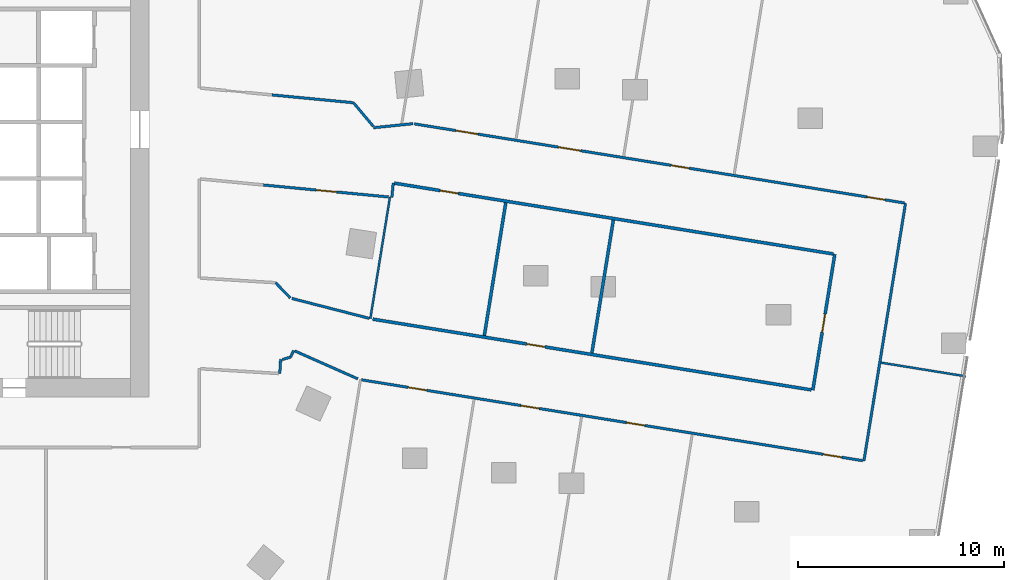
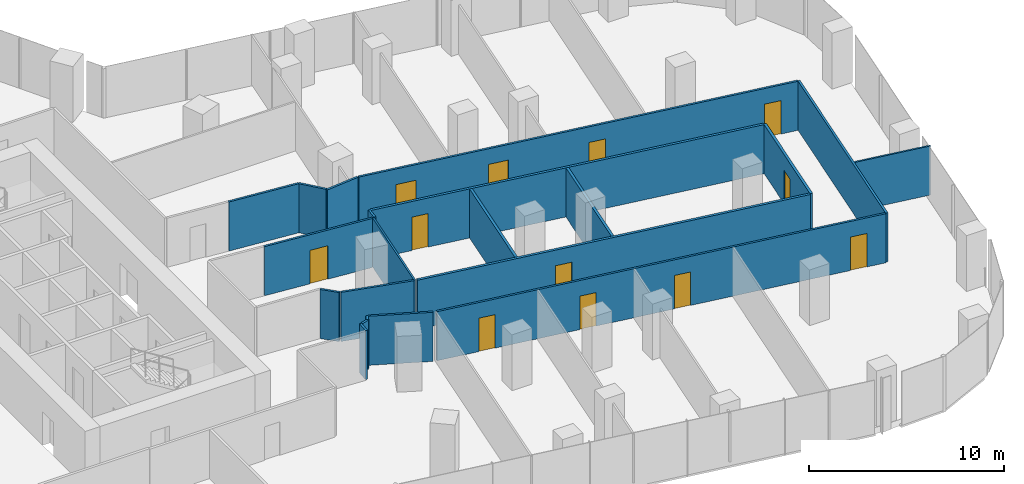
# One storey, part 28 of 34: 21 walls, 12 doors, 12 openings.
"""IFC4 building model written with IfcOpenShell, lengths in metres."""

from ifc_helpers import new_model, si_unit, direction, frame, frame_2d, origin, place, context, subcontext, project, spatial, rectangle, extrude, material, layer, layer_set, type_object, element, fill, save


model = new_model("IFC4")

# Units and contexts
model_context = context("Model", 3, precision=1e-05, world=origin(), true_north=direction((0.0, 1.0)))
body_context = subcontext(model_context, "Body", "Model", "MODEL_VIEW")
ifc_project = project(units=[si_unit("LENGTHUNIT", "METRE"), si_unit("AREAUNIT", "SQUARE_METRE"), si_unit("VOLUMEUNIT", "CUBIC_METRE"), si_unit("PLANEANGLEUNIT", "RADIAN"), si_unit("MASSUNIT", "GRAM", prefix="KILO")], contexts=[model_context])

# Site, building, storey
site_placement = place(None, origin())
site = spatial("IfcSite", under=ifc_project, at=site_placement, CompositionType="ELEMENT")
building_placement = place(site_placement, origin())
building = spatial("IfcBuilding", under=site, at=building_placement, Name="Orlundy Tower", CompositionType="ELEMENT")
storey_placement = place(building_placement, frame((0.0, 0.0, 130.699951171875)))
storey = spatial("IfcBuildingStorey", under=building, at=storey_placement, Name="L33", CompositionType="ELEMENT", Elevation=130.699951171875)

# Walls
ifc_material_1 = material(Name="Gypsum board partition")
ifc_layer_1 = layer(ifc_material_1, 0.10009765625)
ifc_layer_set_1 = layer_set([ifc_layer_1], Name="Floor partition 100")
wall_type_1 = type_object("IfcWallType", Name="Floor partition 100", PredefinedType="PARTITIONING", material=ifc_layer_set_1)
wall_1_placement = place(storey_placement, frame((54.614990234375, -10.33203125, 0.0), z_axis=(0.0, 0.0, 1.0), x_axis=(0.987227218169, -0.15931861067, 0.0)))
element("IfcWall", 1, at=wall_1_placement, inside=storey, type_object=wall_type_1, Name="wall-int-L33-021", PredefinedType="PARTITIONING", context=body_context, shape_type="SweptSolid", body=[
    extrude(rectangle(XDim=4.1865234375, YDim=0.10009765625, at=frame_2d((2.09326171875, 0.0))), origin(), (0.0, 0.0, 1.0), 3.080078125),
])
wall_2_placement = place(storey_placement, frame((29.76904296875, -8.18994140625, 0.0), z_axis=(0.0, 0.0, 1.0), x_axis=(0.15928627412, 0.987232436094, 0.0)))
element("IfcWall", 2, at=wall_2_placement, inside=storey, type_object=wall_type_1, Name="wall-int-L33-067", PredefinedType="PARTITIONING", context=body_context, shape_type="SweptSolid", body=[
    extrude(rectangle(XDim=5.98828125, YDim=0.10009765625, at=frame_2d((2.994140625, 0.0))), origin(), (0.0, 0.0, 1.0), 3.080078125),
])
ifc_material_2 = material(Name="Gypsum board partition, double layer")
ifc_layer_2 = layer(ifc_material_2, 0.125)
ifc_layer_set_2 = layer_set([ifc_layer_2], Name="Floor partition 125")
wall_type_2 = type_object("IfcWallType", Name="Floor partition 125", PredefinedType="PARTITIONING", material=ifc_layer_set_2)
wall_3_placement = place(storey_placement, frame((29.91796875, 1.157958984375, 0.0), z_axis=(0.0, 0.0, 1.0), x_axis=(-0.643093382336, 0.765787765374, 0.0)))
element("IfcWall", 3, at=wall_3_placement, inside=storey, type_object=wall_type_2, Name="wall-int-L33-002", PredefinedType="PARTITIONING", context=body_context, shape_type="SweptSolid", body=[
    extrude(rectangle(XDim=1.50830078125, YDim=0.125, at=frame_2d((0.754150390625, 0.0))), origin(), (0.0, 0.0, 1.0), 3.080078125),
])
wall_4_placement = place(storey_placement, frame((26.093994140625, -9.762939453125, 0.0), z_axis=(0.0, 0.0, 1.0), x_axis=(0.914414080566, -0.404780050475, 0.0)))
element("IfcWall", 4, at=wall_4_placement, inside=storey, type_object=wall_type_2, Name="wall-int-L33-004", PredefinedType="PARTITIONING", context=body_context, shape_type="SweptSolid", body=[
    extrude(rectangle(XDim=3.352783203125, YDim=0.125, at=frame_2d((1.67626953125, 0.0))), origin(), (0.0, 0.0, 1.0), 3.080078125),
])
wall_5_placement = place(storey_placement, frame((25.47900390625, -10.18603515625, 0.0), z_axis=(0.0, 0.0, 1.0), x_axis=(0.955681025049, 0.294404107243, 0.0)))
element("IfcWall", 5, at=wall_5_placement, inside=storey, type_object=wall_type_2, Name="wall-int-L33-017", PredefinedType="PARTITIONING", context=body_context, shape_type="SweptSolid", body=[
    extrude(rectangle(XDim=0.43115234375, YDim=0.125, at=frame_2d((0.215576171875, 0.0))), origin(), (0.0, 0.0, 1.0), 3.080078125),
])
wall_6_placement = place(storey_placement, frame((25.949951171875, -7.2080078125, 0.0), z_axis=(0.0, 0.0, 1.0), x_axis=(0.968475214554, -0.249109933149, 0.0)))
element("IfcWall", 6, at=wall_6_placement, inside=storey, type_object=wall_type_2, Name="wall-int-L33-018", PredefinedType="PARTITIONING", context=body_context, shape_type="SweptSolid", body=[
    extrude(rectangle(XDim=3.893798828125, YDim=0.125, at=frame_2d((1.94677734375, 0.0))), origin(), (0.0, 0.0, 1.0), 3.080078125),
])

# Wall, openings, doors
wall_7_placement = place(storey_placement, frame((53.718994140625, -15.10009765625, 0.0), z_axis=(0.0, 0.0, 1.0), x_axis=(-0.987235605508, 0.159266629328, 0.0)))
wall_7 = element("IfcWall", 7, at=wall_7_placement, inside=storey, type_object=wall_type_2, Name="wall-int-L33-019", PredefinedType="PARTITIONING", context=body_context, shape_type="SweptSolid", body=[
    extrude(rectangle(XDim=24.695068359375, YDim=0.125, at=frame_2d((12.34765625, 0.0))), origin(), (0.0, 0.0, 1.0), 3.080078125),
])
opening_1_placement = place(wall_7_placement, frame((10.73876953125, 0.0, 0.0)))
opening_1 = element("IfcOpeningElement", 8, at=opening_1_placement, cuts=wall_7, Name="Opening 25104", PredefinedType="OPENING", context=body_context, shape_type="SweptSolid", body=[
    extrude(rectangle(XDim=0.89990234375, YDim=2.10009765625, at=frame_2d((0.449951171875, 1.050048828125))), frame((0.0, 0.072509765625, 0.0), z_axis=(0.0, -1.0, 0.0), x_axis=(1.0, 0.0, 0.0)), (0.0, 0.0, 1.0), 0.14501953125),
])
opening_2_placement = place(wall_7_placement, frame((1.037841796875, 0.0, 0.0)))
opening_2 = element("IfcOpeningElement", 9, at=opening_2_placement, cuts=wall_7, Name="Opening 25107", PredefinedType="OPENING", context=body_context, shape_type="SweptSolid", body=[
    extrude(rectangle(XDim=0.89990234375, YDim=2.10009765625, at=frame_2d((0.449951171875, 1.050048828125))), frame((0.0, 0.072509765625, 0.0), z_axis=(0.0, -1.0, 0.0), x_axis=(1.0, 0.0, 0.0)), (0.0, 0.0, 1.0), 0.14501953125),
])
opening_3_placement = place(wall_7_placement, frame((21.488037109375, 0.0, 0.0)))
opening_3 = element("IfcOpeningElement", 10, at=opening_3_placement, cuts=wall_7, Name="Opening 25109", PredefinedType="OPENING", context=body_context, shape_type="SweptSolid", body=[
    extrude(rectangle(XDim=0.89990234375, YDim=2.10009765625, at=frame_2d((0.449951171875, 1.050048828125))), frame((0.0, 0.072509765625, 0.0), z_axis=(0.0, -1.0, 0.0), x_axis=(1.0, 0.0, 0.0)), (0.0, 0.0, 1.0), 0.14501953125),
])
opening_4_placement = place(wall_7_placement, frame((15.9384765625, 0.0, 0.0)))
opening_4 = element("IfcOpeningElement", 11, at=opening_4_placement, cuts=wall_7, Name="Opening 25110", PredefinedType="OPENING", context=body_context, shape_type="SweptSolid", body=[
    extrude(rectangle(XDim=0.89990234375, YDim=2.10009765625, at=frame_2d((0.449951171875, 1.050048828125))), frame((0.0, 0.072509765625, 0.0), z_axis=(0.0, -1.0, 0.0), x_axis=(1.0, 0.0, 0.0)), (0.0, 0.0, 1.0), 0.14501953125),
])
ifc_material_3 = material(Name="Timber door leaf", Category="wood")
door_type_1 = type_object("IfcDoorType", Name="Floor door single 900 FD30S", OperationType="NOTDEFINED", PredefinedType="DOOR", material=ifc_material_3)
door_1_placement = place(opening_1_placement, origin())
door_1 = element("IfcDoor", 12, at=door_1_placement, inside=storey, type_object=door_type_1, Name="Door 25104", OperationType="SINGLE_SWING_LEFT", OverallHeight=2.10009765625, OverallWidth=0.89990234375, PredefinedType="DOOR", context=body_context, shape_type="SweptSolid", body=[
    extrude(rectangle(XDim=0.89990234375, YDim=2.10009765625, at=frame_2d((0.449951171875, 1.050048828125))), frame((0.0, 0.02490234375, 0.0), z_axis=(0.0, -1.0, 0.0), x_axis=(1.0, 0.0, 0.0)), (0.0, 0.0, 1.0), 0.050048828125),
])
fill(opening_1, door_1)
door_2_placement = place(opening_2_placement, origin())
door_2 = element("IfcDoor", 13, at=door_2_placement, inside=storey, type_object=door_type_1, Name="Door 25107", OperationType="SINGLE_SWING_LEFT", OverallHeight=2.10009765625, OverallWidth=0.89990234375, PredefinedType="DOOR", context=body_context, shape_type="SweptSolid", body=[
    extrude(rectangle(XDim=0.89990234375, YDim=2.10009765625, at=frame_2d((0.449951171875, 1.050048828125))), frame((0.0, 0.02490234375, 0.0), z_axis=(0.0, -1.0, 0.0), x_axis=(1.0, 0.0, 0.0)), (0.0, 0.0, 1.0), 0.050048828125),
])
fill(opening_2, door_2)
door_3_placement = place(opening_3_placement, origin())
door_3 = element("IfcDoor", 14, at=door_3_placement, inside=storey, type_object=door_type_1, Name="Door 25109", OperationType="SINGLE_SWING_RIGHT", OverallHeight=2.10009765625, OverallWidth=0.89990234375, PredefinedType="DOOR", context=body_context, shape_type="SweptSolid", body=[
    extrude(rectangle(XDim=0.89990234375, YDim=2.10009765625, at=frame_2d((0.449951171875, 1.050048828125))), frame((0.0, 0.02490234375, 0.0), z_axis=(0.0, -1.0, 0.0), x_axis=(1.0, 0.0, 0.0)), (0.0, 0.0, 1.0), 0.050048828125),
])
fill(opening_3, door_3)
door_4_placement = place(opening_4_placement, origin())
door_4 = element("IfcDoor", 15, at=door_4_placement, inside=storey, type_object=door_type_1, Name="Door 25110", OperationType="SINGLE_SWING_RIGHT", OverallHeight=2.10009765625, OverallWidth=0.89990234375, PredefinedType="DOOR", context=body_context, shape_type="SweptSolid", body=[
    extrude(rectangle(XDim=0.89990234375, YDim=2.10009765625, at=frame_2d((0.449951171875, 1.050048828125))), frame((0.0, 0.02490234375, 0.0), z_axis=(0.0, -1.0, 0.0), x_axis=(1.0, 0.0, 0.0)), (0.0, 0.0, 1.0), 0.050048828125),
])
fill(opening_4, door_4)

wall_8_placement = place(storey_placement, frame((31.908935546875, 1.283935546875, 0.0), z_axis=(0.0, 0.0, 1.0), x_axis=(0.987227629246, -0.159316063386, 0.0)))
wall_8 = element("IfcWall", 16, at=wall_8_placement, inside=storey, type_object=wall_type_2, Name="wall-int-L33-023", PredefinedType="PARTITIONING", context=body_context, shape_type="SweptSolid", body=[
    extrude(rectangle(XDim=24.140380859375, YDim=0.125, at=frame_2d((12.0703125, 0.0))), origin(), (0.0, 0.0, 1.0), 3.080078125),
])
opening_5_placement = place(wall_8_placement, frame((2.03759765625, 0.0, 0.0)))
opening_5 = element("IfcOpeningElement", 17, at=opening_5_placement, cuts=wall_8, Name="Opening 25100", PredefinedType="OPENING", context=body_context, shape_type="SweptSolid", body=[
    extrude(rectangle(XDim=1.10009765625, YDim=2.10009765625, at=frame_2d((0.550048828125, 1.050048828125))), frame((0.0, 0.072509765625, 0.0), z_axis=(0.0, -1.0, 0.0), x_axis=(1.0, 0.0, 0.0)), (0.0, 0.0, 1.0), 0.14501953125),
])
opening_6_placement = place(wall_8_placement, frame((7.103271484375, 0.0, 0.0)))
opening_6 = element("IfcOpeningElement", 18, at=opening_6_placement, cuts=wall_8, Name="Opening 25101", PredefinedType="OPENING", context=body_context, shape_type="SweptSolid", body=[
    extrude(rectangle(XDim=1.10009765625, YDim=2.10009765625, at=frame_2d((0.550048828125, 1.050048828125))), frame((0.0, 0.072509765625, 0.0), z_axis=(0.0, -1.0, 0.0), x_axis=(1.0, 0.0, 0.0)), (0.0, 0.0, 1.0), 0.14501953125),
])
opening_7_placement = place(wall_8_placement, frame((12.65283203125, 0.0, 0.0)))
opening_7 = element("IfcOpeningElement", 19, at=opening_7_placement, cuts=wall_8, Name="Opening 25105", PredefinedType="OPENING", context=body_context, shape_type="SweptSolid", body=[
    extrude(rectangle(XDim=0.89990234375, YDim=2.10009765625, at=frame_2d((0.449951171875, 1.050048828125))), frame((0.0, 0.072509765625, 0.0), z_axis=(0.0, -1.0, 0.0), x_axis=(1.0, 0.0, 0.0)), (0.0, 0.0, 1.0), 0.14501953125),
])
opening_8_placement = place(wall_8_placement, frame((22.302978515625, 0.0, 0.0)))
opening_8 = element("IfcOpeningElement", 20, at=opening_8_placement, cuts=wall_8, Name="Opening 25108", PredefinedType="OPENING", context=body_context, shape_type="SweptSolid", body=[
    extrude(rectangle(XDim=0.89990234375, YDim=2.10009765625, at=frame_2d((0.449951171875, 1.050048828125))), frame((0.0, 0.072509765625, 0.0), z_axis=(0.0, -1.0, 0.0), x_axis=(1.0, 0.0, 0.0)), (0.0, 0.0, 1.0), 0.14501953125),
])
door_5_placement = place(opening_7_placement, origin())
door_5 = element("IfcDoor", 21, at=door_5_placement, inside=storey, type_object=door_type_1, Name="Door 25105", OperationType="SINGLE_SWING_RIGHT", OverallHeight=2.10009765625, OverallWidth=0.89990234375, PredefinedType="DOOR", context=body_context, shape_type="SweptSolid", body=[
    extrude(rectangle(XDim=0.89990234375, YDim=2.10009765625, at=frame_2d((0.449951171875, 1.050048828125))), frame((0.0, 0.02490234375, 0.0), z_axis=(0.0, -1.0, 0.0), x_axis=(1.0, 0.0, 0.0)), (0.0, 0.0, 1.0), 0.050048828125),
])
fill(opening_7, door_5)
door_6_placement = place(opening_8_placement, origin())
door_6 = element("IfcDoor", 22, at=door_6_placement, inside=storey, type_object=door_type_1, Name="Door 25108", OperationType="SINGLE_SWING_RIGHT", OverallHeight=2.10009765625, OverallWidth=0.89990234375, PredefinedType="DOOR", context=body_context, shape_type="SweptSolid", body=[
    extrude(rectangle(XDim=0.89990234375, YDim=2.10009765625, at=frame_2d((0.449951171875, 1.050048828125))), frame((0.0, 0.02490234375, 0.0), z_axis=(0.0, -1.0, 0.0), x_axis=(1.0, 0.0, 0.0)), (0.0, 0.0, 1.0), 0.050048828125),
])
fill(opening_8, door_6)
ifc_material_4 = material(Name="Timber door leaf", Category="wood")
door_type_2 = type_object("IfcDoorType", Name="Floor door xwide 1100 FD30S", OperationType="NOTDEFINED", PredefinedType="DOOR", material=ifc_material_4)
door_7_placement = place(opening_5_placement, origin())
door_7 = element("IfcDoor", 23, at=door_7_placement, inside=storey, type_object=door_type_2, Name="Door 25100", OperationType="SINGLE_SWING_LEFT", OverallHeight=2.10009765625, OverallWidth=1.10009765625, PredefinedType="DOOR", context=body_context, shape_type="SweptSolid", body=[
    extrude(rectangle(XDim=1.10009765625, YDim=2.10009765625, at=frame_2d((0.550048828125, 1.050048828125))), frame((0.0, 0.02490234375, 0.0), z_axis=(0.0, -1.0, 0.0), x_axis=(1.0, 0.0, 0.0)), (0.0, 0.0, 1.0), 0.050048828125),
])
fill(opening_5, door_7)
door_8_placement = place(opening_6_placement, origin())
door_8 = element("IfcDoor", 24, at=door_8_placement, inside=storey, type_object=door_type_2, Name="Door 25101", OperationType="SINGLE_SWING_LEFT", OverallHeight=2.10009765625, OverallWidth=1.10009765625, PredefinedType="DOOR", context=body_context, shape_type="SweptSolid", body=[
    extrude(rectangle(XDim=1.10009765625, YDim=2.10009765625, at=frame_2d((0.550048828125, 1.050048828125))), frame((0.0, 0.02490234375, 0.0), z_axis=(0.0, -1.0, 0.0), x_axis=(1.0, 0.0, 0.0)), (0.0, 0.0, 1.0), 0.050048828125),
])
fill(opening_6, door_8)

# Wall, opening, door
wall_9_placement = place(storey_placement, frame((30.660888671875, -2.27197265625, 0.0), z_axis=(0.0, 0.0, 1.0), x_axis=(-0.99545016826, 0.095283589939, 0.0)))
wall_9 = element("IfcWall", 25, at=wall_9_placement, inside=storey, type_object=wall_type_2, Name="wall-int-L33-024", PredefinedType="PARTITIONING", context=body_context, shape_type="SweptSolid", body=[
    extrude(rectangle(XDim=6.11865234375, YDim=0.125, at=frame_2d((3.059326171875, 0.0))), origin(), (0.0, 0.0, 1.0), 3.080078125),
])
opening_9_placement = place(wall_9_placement, frame((2.53759765625, 0.0, 0.0)))
opening_9 = element("IfcOpeningElement", 26, at=opening_9_placement, cuts=wall_9, Name="Opening 25126", PredefinedType="OPENING", context=body_context, shape_type="SweptSolid", body=[
    extrude(rectangle(XDim=1.0, YDim=2.10009765625, at=frame_2d((0.5, 1.050048828125))), frame((0.0, 0.072509765625, 0.0), z_axis=(0.0, -1.0, 0.0), x_axis=(1.0, 0.0, 0.0)), (0.0, 0.0, 1.0), 0.14501953125),
])
ifc_material_5 = material(Name="Timber door leaf", Category="wood")
door_type_3 = type_object("IfcDoorType", Name="Floor door wide 1000 FD30S", OperationType="NOTDEFINED", PredefinedType="DOOR", material=ifc_material_5)
door_9_placement = place(opening_9_placement, origin())
door_9 = element("IfcDoor", 27, at=door_9_placement, inside=storey, type_object=door_type_3, Name="Door 25126", OperationType="SINGLE_SWING_LEFT", OverallHeight=2.10009765625, OverallWidth=1.0, PredefinedType="DOOR", context=body_context, shape_type="SweptSolid", body=[
    extrude(rectangle(XDim=1.0, YDim=2.10009765625, at=frame_2d((0.5, 1.050048828125))), frame((0.0, 0.02490234375, 0.0), z_axis=(0.0, -1.0, 0.0), x_axis=(1.0, 0.0, 0.0)), (0.0, 0.0, 1.0), 0.050048828125),
])
fill(opening_9, door_9)

# Walls
wall_10_placement = place(storey_placement, frame((24.989013671875, 2.69189453125, 0.0), z_axis=(0.0, 0.0, 1.0), x_axis=(0.995451221245, -0.095272588516, 0.0)))
element("IfcWall", 28, at=wall_10_placement, inside=storey, type_object=wall_type_2, Name="wall-int-L33-026", PredefinedType="PARTITIONING", context=body_context, shape_type="SweptSolid", body=[
    extrude(rectangle(XDim=3.97705078125, YDim=0.125, at=frame_2d((1.988525390625, 0.0))), origin(), (0.0, 0.0, 1.0), 3.080078125),
])
wall_11_placement = place(storey_placement, frame((31.846923828125, 1.2939453125, 0.0), z_axis=(0.0, 0.0, 1.0), x_axis=(-0.9947784907, -0.102057603537, 0.0)))
element("IfcWall", 29, at=wall_11_placement, inside=storey, type_object=wall_type_2, Name="wall-int-L33-046", PredefinedType="PARTITIONING", context=body_context, shape_type="SweptSolid", body=[
    extrude(rectangle(XDim=1.93994140625, YDim=0.125, at=frame_2d((0.969970703125, 0.0))), origin(), (0.0, 0.0, 1.0), 3.080078125),
])
wall_12_placement = place(storey_placement, frame((25.89111328125, -10.05908203125, 0.0), z_axis=(0.0, 0.0, 1.0), x_axis=(0.413959403351, 0.910295343489, 0.0)))
element("IfcWall", 30, at=wall_12_placement, inside=storey, type_object=wall_type_2, Name="wall-int-L33-049", PredefinedType="PARTITIONING", context=body_context, shape_type="SweptSolid", body=[
    extrude(rectangle(XDim=0.352783203125, YDim=0.125, at=frame_2d((0.17626953125, 0.0))), origin(), (0.0, 0.0, 1.0), 3.080078125),
])
wall_13_placement = place(storey_placement, frame((53.780029296875, -15.111083984375, 0.0), z_axis=(0.0, 0.0, 1.0), x_axis=(0.159347260632, 0.987222594215, 0.0)))
element("IfcWall", 31, at=wall_13_placement, inside=storey, type_object=wall_type_2, Name="wall-int-L33-056", PredefinedType="PARTITIONING", context=body_context, shape_type="SweptSolid", body=[
    extrude(rectangle(XDim=12.701416015625, YDim=0.125, at=frame_2d((6.3505859375, 0.0))), origin(), (0.0, 0.0, 1.0), 3.080078125),
])
wall_14_placement = place(storey_placement, frame((30.81689453125, -2.287109375, 0.0), z_axis=(0.0, 0.0, 1.0), x_axis=(0.094627831228, 0.995512718933, 0.0)))
element("IfcWall", 32, at=wall_14_placement, inside=storey, type_object=wall_type_2, Name="wall-int-L33-069", PredefinedType="PARTITIONING", context=body_context, shape_type="SweptSolid", body=[
    extrude(rectangle(XDim=0.69921875, YDim=0.125, at=frame_2d((0.349609375, 0.0))), origin(), (0.0, 0.0, 1.0), 3.080078125),
])
wall_15_placement = place(storey_placement, frame((25.876953125, -7.18896484375, 0.0), z_axis=(0.0, 0.0, 1.0), x_axis=(-0.693047408392, 0.72089200975, 0.0)))
element("IfcWall", 33, at=wall_15_placement, inside=storey, type_object=wall_type_2, Name="wall-int-L33-070", PredefinedType="PARTITIONING", context=body_context, shape_type="SweptSolid", body=[
    extrude(rectangle(XDim=1.03466796875, YDim=0.125, at=frame_2d((0.517333984375, 0.0))), origin(), (0.0, 0.0, 1.0), 3.080078125),
])
wall_16_placement = place(storey_placement, frame((25.363037109375, -10.864990234375, 0.0), z_axis=(0.0, 0.0, 1.0), x_axis=(0.061443671654, 0.998110552601, 0.0)))
element("IfcWall", 34, at=wall_16_placement, inside=storey, type_object=wall_type_2, Name="wall-int-L33-071", PredefinedType="PARTITIONING", context=body_context, shape_type="SweptSolid", body=[
    extrude(rectangle(XDim=0.69921875, YDim=0.125, at=frame_2d((0.349609375, 0.0))), origin(), (0.0, 0.0, 1.0), 3.080078125),
])

# Wall, opening, door
ifc_material_6 = material(Name="Blockwork shaft wall", Category="masonry")
ifc_layer_3 = layer(ifc_material_6, 0.14990234375)
ifc_layer_set_3 = layer_set([ifc_layer_3], Name="Floor shaft wall 150")
wall_type_3 = type_object("IfcWallType", Name="Floor shaft wall 150", PredefinedType="PARTITIONING", material=ifc_layer_set_3)
wall_17_placement = place(storey_placement, frame((29.885009765625, -8.215087890625, 0.0), z_axis=(0.0, 0.0, 1.0), x_axis=(0.987236652076, -0.1592601419, 0.0)))
wall_17 = element("IfcWall", 35, at=wall_17_placement, inside=storey, type_object=wall_type_3, Name="wall-int-L33-020", PredefinedType="PARTITIONING", context=body_context, shape_type="SweptSolid", body=[
    extrude(rectangle(XDim=21.61181640625, YDim=0.14990234375, at=frame_2d((10.805908203125, 0.0))), origin(), (0.0, 0.0, 1.0), 3.080078125),
])
opening_10_placement = place(wall_17_placement, frame((7.587646484375, 0.0, 0.0)))
opening_10 = element("IfcOpeningElement", 36, at=opening_10_placement, cuts=wall_17, Name="Opening 25103", PredefinedType="OPENING", context=body_context, shape_type="SweptSolid", body=[
    extrude(rectangle(XDim=0.89990234375, YDim=2.10009765625, at=frame_2d((0.449951171875, 1.050048828125))), frame((0.0, 0.0849609375, 0.0), z_axis=(0.0, -1.0, 0.0), x_axis=(1.0, 0.0, 0.0)), (0.0, 0.0, 1.0), 0.169921875),
])
ifc_material_7 = material(Name="Timber door leaf", Category="wood")
door_type_4 = type_object("IfcDoorType", Name="Floor door single 900 FD60", OperationType="NOTDEFINED", PredefinedType="DOOR", material=ifc_material_7)
door_10_placement = place(opening_10_placement, origin())
door_10 = element("IfcDoor", 37, at=door_10_placement, inside=storey, type_object=door_type_4, Name="Door 25103", OperationType="SINGLE_SWING_LEFT", OverallHeight=2.10009765625, OverallWidth=0.89990234375, PredefinedType="DOOR", context=body_context, shape_type="SweptSolid", body=[
    extrude(rectangle(XDim=0.89990234375, YDim=2.10009765625, at=frame_2d((0.449951171875, 1.050048828125))), frame((0.0, 0.02490234375, 0.0), z_axis=(0.0, -1.0, 0.0), x_axis=(1.0, 0.0, 0.0)), (0.0, 0.0, 1.0), 0.050048828125),
])
fill(opening_10, door_10)

wall_18_placement = place(storey_placement, frame((52.2890625, -5.0439453125, 0.0), z_axis=(0.0, 0.0, 1.0), x_axis=(-0.987239001867, 0.159245575114, 0.0)))
wall_18 = element("IfcWall", 38, at=wall_18_placement, inside=storey, type_object=wall_type_3, Name="wall-int-L33-022", PredefinedType="PARTITIONING", context=body_context, shape_type="SweptSolid", body=[
    extrude(rectangle(XDim=21.619873046875, YDim=0.14990234375, at=frame_2d((10.81005859375, 0.0))), origin(), (0.0, 0.0, 1.0), 3.080078125),
])
opening_11_placement = place(wall_18_placement, frame((18.474609375, 0.0, 0.0)))
opening_11 = element("IfcOpeningElement", 39, at=opening_11_placement, cuts=wall_18, Name="Opening 25102", PredefinedType="OPENING", context=body_context, shape_type="SweptSolid", body=[
    extrude(rectangle(XDim=0.89990234375, YDim=2.10009765625, at=frame_2d((0.449951171875, 1.050048828125))), frame((0.0, 0.0849609375, 0.0), z_axis=(0.0, -1.0, 0.0), x_axis=(1.0, 0.0, 0.0)), (0.0, 0.0, 1.0), 0.169921875),
])
door_11_placement = place(opening_11_placement, origin())
door_11 = element("IfcDoor", 40, at=door_11_placement, inside=storey, type_object=door_type_4, Name="Door 25102", OperationType="SINGLE_SWING_RIGHT", OverallHeight=2.10009765625, OverallWidth=0.89990234375, PredefinedType="DOOR", context=body_context, shape_type="SweptSolid", body=[
    extrude(rectangle(XDim=0.89990234375, YDim=2.10009765625, at=frame_2d((0.449951171875, 1.050048828125))), frame((0.0, 0.02490234375, 0.0), z_axis=(0.0, -1.0, 0.0), x_axis=(1.0, 0.0, 0.0)), (0.0, 0.0, 1.0), 0.050048828125),
])
fill(opening_11, door_11)

wall_19_placement = place(storey_placement, frame((51.294921875, -11.669921875, 0.0), z_axis=(0.0, 0.0, 1.0), x_axis=(0.159450148398, 0.987205981635, 0.0)))
wall_19 = element("IfcWall", 41, at=wall_19_placement, inside=storey, type_object=wall_type_3, Name="wall-int-L33-057", PredefinedType="PARTITIONING", context=body_context, shape_type="SweptSolid", body=[
    extrude(rectangle(XDim=6.69873046875, YDim=0.14990234375, at=frame_2d((3.349365234375, 0.0))), origin(), (0.0, 0.0, 1.0), 3.080078125),
])
opening_12_placement = place(wall_19_placement, frame((2.85009765625, 0.0, 0.0)))
opening_12 = element("IfcOpeningElement", 42, at=opening_12_placement, cuts=wall_19, Name="Opening 25106", PredefinedType="OPENING", context=body_context, shape_type="SweptSolid", body=[
    extrude(rectangle(XDim=0.89990234375, YDim=2.10009765625, at=frame_2d((0.449951171875, 1.050048828125))), frame((0.0, 0.0849609375, 0.0), z_axis=(0.0, -1.0, 0.0), x_axis=(1.0, 0.0, 0.0)), (0.0, 0.0, 1.0), 0.169921875),
])
door_12_placement = place(opening_12_placement, origin())
door_12 = element("IfcDoor", 43, at=door_12_placement, inside=storey, type_object=door_type_4, Name="Door 25106", OperationType="SINGLE_SWING_LEFT", OverallHeight=2.10009765625, OverallWidth=0.89990234375, PredefinedType="DOOR", context=body_context, shape_type="SweptSolid", body=[
    extrude(rectangle(XDim=0.89990234375, YDim=2.10009765625, at=frame_2d((0.449951171875, 1.050048828125))), frame((0.0, 0.02490234375, 0.0), z_axis=(0.0, -1.0, 0.0), x_axis=(1.0, 0.0, 0.0)), (0.0, 0.0, 1.0), 0.050048828125),
])
fill(opening_12, door_12)

# Walls
for number, where, z_axis, x_axis, name in (
    (44, (40.547119140625, -9.85888671875, 0.0), (0.0, 0.0, 1.0), (0.159269947871, 0.987235070135, 0.0), "wall-int-L33-061"),
    (45, (35.31494140625, -9.014892578125, 0.0), (0.0, 0.0, 1.0), (0.159269947871, 0.987235070135, 0.0), "wall-int-L33-064"),
):
    element("IfcWall", number, at=place(storey_placement, frame(where, z_axis=z_axis, x_axis=x_axis)), inside=storey, type_object=wall_type_3, Name=name, PredefinedType="PARTITIONING", context=body_context, shape_type="SweptSolid", body=[
        extrude(rectangle(XDim=6.54833984375, YDim=0.14990234375, at=frame_2d((3.274169921875, 0.0))), origin(), (0.0, 0.0, 1.0), 3.080078125),
    ])

save(model, "model.ifc")
